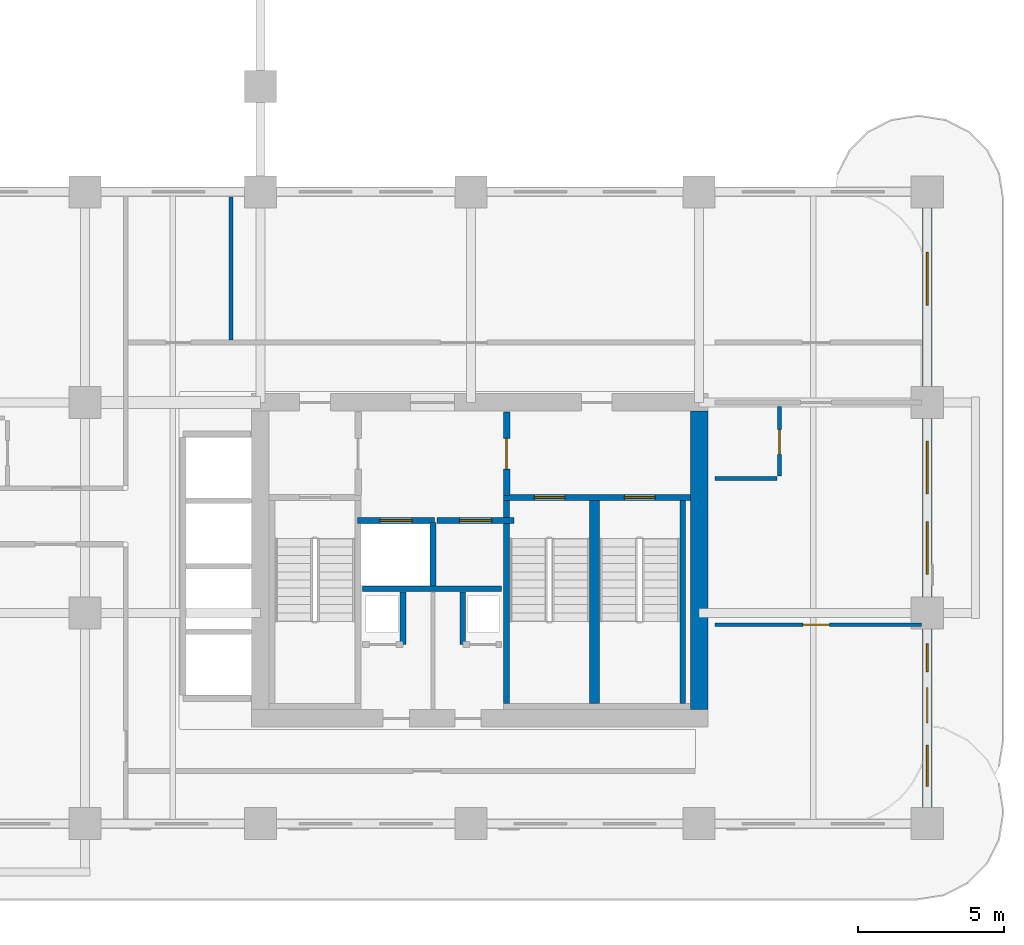
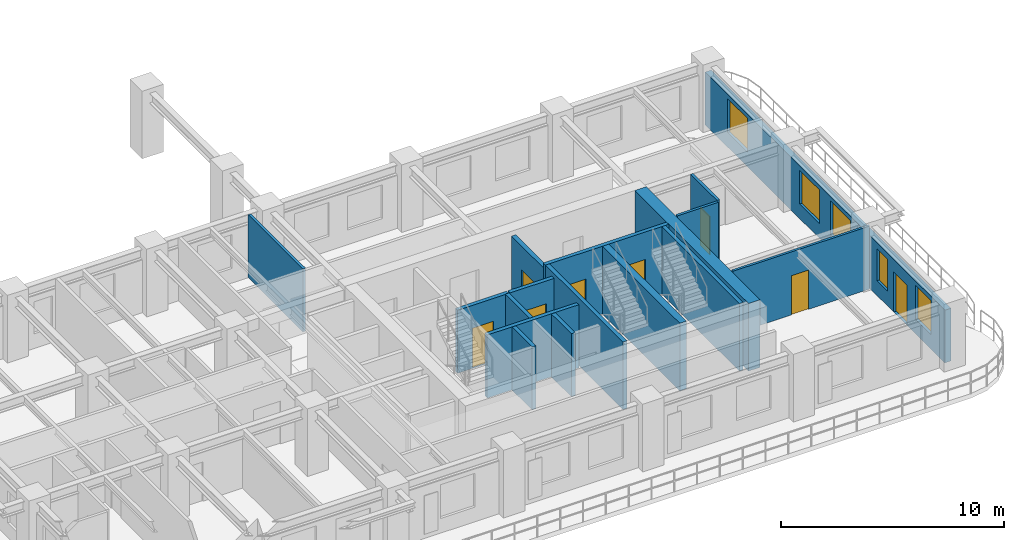
# One storey, part 9 of 19: 17 walls, 8 doors, 5 windows, 13 openings.
"""IFC4 building model written with IfcOpenShell, lengths in metres."""

from ifc_helpers import new_model, si_unit, derived_unit, direction, frame, frame_2d, origin, place, context, subcontext, project, spatial, rectangle, extrude, source, transform, mapped, material, layer, layer_set, type_object, type_shapes, element, fill, save


model = new_model("IFC4")

# Units and contexts
model_context = context("Model", 3, precision=1e-05, world=origin(), true_north=direction((0.0, 1.0)))
body_context = subcontext(model_context, "Body", "Model", "MODEL_VIEW")
ifc_project = project(units=[si_unit("LENGTHUNIT", "METRE"), si_unit("AREAUNIT", "SQUARE_METRE"), si_unit("VOLUMEUNIT", "CUBIC_METRE"), si_unit("PLANEANGLEUNIT", "RADIAN"), si_unit("MASSUNIT", "GRAM", prefix="KILO"), si_unit("THERMODYNAMICTEMPERATUREUNIT", "KELVIN"), si_unit("POWERUNIT", "WATT"), derived_unit("THERMALTRANSMITTANCEUNIT", [(si_unit("POWERUNIT", "WATT"), 1), (si_unit("AREAUNIT", "SQUARE_METRE"), -1), (si_unit("THERMODYNAMICTEMPERATUREUNIT", "KELVIN"), -1)])], contexts=[model_context])

# Site, building, storey
site_placement = place(None, origin())
site = spatial("IfcSite", under=ifc_project, at=site_placement, CompositionType="ELEMENT")
building_placement = place(site_placement, origin())
building = spatial("IfcBuilding", under=site, at=building_placement, Name="Zahravan Archway Hotel and Residences", CompositionType="ELEMENT")
storey_placement = place(building_placement, frame((0.0, 0.0, 62.0)))
storey = spatial("IfcBuildingStorey", under=building, at=storey_placement, Name="L14", CompositionType="ELEMENT", Elevation=62.0)

# Wall
ifc_material_1 = material(Name="Concrete C70/85", Category="concrete")
ifc_layer_1 = layer(ifc_material_1, 0.60009765625, Name="Concrete C70/85", Category="concrete")
ifc_layer_set_1 = layer_set([ifc_layer_1], Name="Concrete C70/85")
wall_type_1 = type_object("IfcWallType", Name="CW-CORE-600", PredefinedType="SHEAR", material=ifc_layer_set_1)
wall_1_placement = place(storey_placement, frame((49.800048828125, 3.89990234375, 0.0), z_axis=(0.0, 0.0, 1.0), x_axis=(0.0, 1.0, 0.0)))
element("IfcWall", 1, at=wall_1_placement, inside=storey, type_object=wall_type_1, Name="L14 Core A Shear E Wall 600 mm", PredefinedType="SHEAR", context=body_context, shape_type="SweptSolid", body=[
    extrude(rectangle(XDim=10.2001953125, YDim=0.60009765625, at=frame_2d((5.10009765625, 0.0))), origin(), (0.0, 0.0, 1.0), 3.699951171875),
])

# Wall, openings, door, windows
ifc_material_2 = material(Name="Agra Buff Sandstone & Insulated Backup", Category="masonry")
ifc_layer_2 = layer(ifc_material_2, 0.320068359375, Name="Agra Buff Sandstone & Insulated Backup", Category="masonry")
ifc_layer_set_2 = layer_set([ifc_layer_2], Name="Agra Buff Sandstone & Insulated Backup")
wall_type_2 = type_object("IfcWallType", Name="EW-SAND-320", PredefinedType="SOLIDWALL", material=ifc_layer_set_2)
wall_2_placement = place(storey_placement, frame((57.60009765625, 0.050048828125, 0.0), z_axis=(0.0, 0.0, 1.0), x_axis=(0.0, 1.0, 0.0)))
wall_2 = element("IfcWall", 2, at=wall_2_placement, inside=storey, type_object=wall_type_2, Name="L14 Exterior Sandstone Wall WA-E", PredefinedType="SOLIDWALL", context=body_context, shape_type="SweptSolid", body=[
    extrude(rectangle(XDim=21.5, YDim=0.320068359375, at=frame_2d((10.75, 0.0))), origin(), (0.0, 0.0, 1.0), 2.885009765625),
])
opening_1_placement = place(wall_2_placement, frame((3.39990234375, 0.0, 0.0)))
opening_1 = element("IfcOpeningElement", 3, at=opening_1_placement, cuts=wall_2, Name="Opening ED-BL1", PredefinedType="OPENING", context=body_context, shape_type="SweptSolid", body=[
    extrude(rectangle(XDim=1.199951171875, YDim=2.199951171875, at=frame_2d((0.60009765625, 1.10009765625))), frame((0.0, 0.169921875, 0.0), z_axis=(0.0, -1.0, 0.0), x_axis=(1.0, 0.0, 0.0)), (0.0, 0.0, 1.0), 0.340087890625),
])
opening_2_placement = place(wall_2_placement, frame((1.22509765625, 0.0, 0.800048828125)))
opening_2 = element("IfcOpeningElement", 4, at=opening_2_placement, cuts=wall_2, Name="Opening W-03", PredefinedType="OPENING", context=body_context, shape_type="SweptSolid", body=[
    extrude(rectangle(XDim=1.39990234375, YDim=1.85009765625, at=frame_2d((0.699951171875, 0.925048828125))), frame((0.0, 0.169921875, 0.0), z_axis=(0.0, -1.0, 0.0), x_axis=(1.0, 0.0, 0.0)), (0.0, 0.0, 1.0), 0.340087890625),
])
opening_3_placement = place(wall_2_placement, frame((5.14990234375, 0.0, 0.800048828125)))
opening_3 = element("IfcOpeningElement", 5, at=opening_3_placement, cuts=wall_2, Name="Opening W-04", PredefinedType="OPENING", context=body_context, shape_type="SweptSolid", body=[
    extrude(rectangle(XDim=0.949951171875, YDim=1.75, at=frame_2d((0.47509765625, 0.875))), frame((0.0, 0.169921875, 0.0), z_axis=(0.0, -1.0, 0.0), x_axis=(1.0, 0.0, 0.0)), (0.0, 0.0, 1.0), 0.340087890625),
])
opening_4_placement = place(wall_2_placement, frame((8.47509765625, 0.0, 0.800048828125)))
opening_4 = element("IfcOpeningElement", 6, at=opening_4_placement, cuts=wall_2, Name="Opening W-02", PredefinedType="OPENING", context=body_context, shape_type="SweptSolid", body=[
    extrude(rectangle(XDim=1.800048828125, YDim=1.85009765625, at=frame_2d((0.89990234375, 0.925048828125))), frame((0.0, 0.169921875, 0.0), z_axis=(0.0, -1.0, 0.0), x_axis=(1.0, 0.0, 0.0)), (0.0, 0.0, 1.0), 0.340087890625),
])
opening_5_placement = place(wall_2_placement, frame((11.22509765625, 0.0, 0.800048828125)))
opening_5 = element("IfcOpeningElement", 7, at=opening_5_placement, cuts=wall_2, Name="Opening W-02", PredefinedType="OPENING", context=body_context, shape_type="SweptSolid", body=[
    extrude(rectangle(XDim=1.800048828125, YDim=1.85009765625, at=frame_2d((0.89990234375, 0.925048828125))), frame((0.0, 0.169921875, 0.0), z_axis=(0.0, -1.0, 0.0), x_axis=(1.0, 0.0, 0.0)), (0.0, 0.0, 1.0), 0.340087890625),
])
opening_6_placement = place(wall_2_placement, frame((17.678955078125, 0.0, 0.800048828125)))
opening_6 = element("IfcOpeningElement", 8, at=opening_6_placement, cuts=wall_2, Name="Opening W-02", PredefinedType="OPENING", context=body_context, shape_type="SweptSolid", body=[
    extrude(rectangle(XDim=1.800048828125, YDim=1.85009765625, at=frame_2d((0.89990234375, 0.925048828125))), frame((0.0, 0.169921875, 0.0), z_axis=(0.0, -1.0, 0.0), x_axis=(1.0, 0.0, 0.0)), (0.0, 0.0, 1.0), 0.340087890625),
])
ifc_material_3 = material(Name="Bronze-Anodized Glazed Aluminium", Category="aluminium")
door_type_1 = type_object("IfcDoorType", Name="ED-BALC-1200", OperationType="SLIDING_TO_LEFT", PredefinedType="DOOR", material=ifc_material_3)
shared_shape_1 = source(origin(), body_context, "Body", "SweptSolid", [
    extrude(rectangle(XDim=1.199951171875, YDim=2.199951171875, at=frame_2d((0.60009765625, 1.10009765625))), frame((0.0, 0.02490234375, 0.0), z_axis=(0.0, -1.0, 0.0), x_axis=(1.0, 0.0, 0.0)), (0.0, 0.0, 1.0), 0.050048828125),
])
type_shapes(door_type_1, [shared_shape_1])
door_1_placement = place(opening_1_placement, origin())
door_1 = element("IfcDoor", 9, at=door_1_placement, inside=storey, type_object=door_type_1, Name="L14 Outdoor Access Sliding Door (SLB-BAL-L14-EA)", OperationType="SLIDING_TO_LEFT", OverallHeight=2.199951171875, OverallWidth=1.199951171875, PredefinedType="DOOR", context=body_context, shape_type="MappedRepresentation", body=[
    mapped(shared_shape_1, transform((0.0, 0.0, 0.0), scale=1.0)),
])
fill(opening_1, door_1)
ifc_material_4 = material(Name="Bronze-Anodized Thermal-Break Aluminium & Low-E Glass", Category="aluminium")
window_type_1 = type_object("IfcWindowType", Name="WIN-TWR-1400", PartitioningType="SINGLE_PANEL", PredefinedType="WINDOW", material=ifc_material_4)
shared_shape_2 = source(origin(), body_context, "Body", "SweptSolid", [
    extrude(rectangle(XDim=1.39990234375, YDim=1.85009765625, at=frame_2d((0.699951171875, 0.925048828125))), frame((0.0, 0.030029296875, 0.0), z_axis=(0.0, -1.0, 0.0), x_axis=(1.0, 0.0, 0.0)), (0.0, 0.0, 1.0), 0.06005859375),
])
type_shapes(window_type_1, [shared_shape_2])
window_1_placement = place(opening_2_placement, origin())
window_1 = element("IfcWindow", 10, at=window_1_placement, inside=storey, type_object=window_type_1, Name="L14 Loggia Window 12", OverallHeight=1.85009765625, OverallWidth=1.39990234375, PartitioningType="SINGLE_PANEL", PredefinedType="WINDOW", context=body_context, shape_type="MappedRepresentation", body=[
    mapped(shared_shape_2, transform((0.0, 0.0, 0.0), scale=1.0)),
])
fill(opening_2, window_1)
window_type_2 = type_object("IfcWindowType", Name="WIN-NAR-950", PartitioningType="SINGLE_PANEL", PredefinedType="WINDOW", material=ifc_material_4)
shared_shape_3 = source(origin(), body_context, "Body", "SweptSolid", [
    extrude(rectangle(XDim=0.949951171875, YDim=1.75, at=frame_2d((0.47509765625, 0.875))), frame((0.0, 0.030029296875, 0.0), z_axis=(0.0, -1.0, 0.0), x_axis=(1.0, 0.0, 0.0)), (0.0, 0.0, 1.0), 0.06005859375),
])
type_shapes(window_type_2, [shared_shape_3])
window_2_placement = place(opening_3_placement, origin())
window_2 = element("IfcWindow", 11, at=window_2_placement, inside=storey, type_object=window_type_2, Name="L14 Loggia Window 13", OverallHeight=1.75, OverallWidth=0.949951171875, PartitioningType="SINGLE_PANEL", PredefinedType="WINDOW", context=body_context, shape_type="MappedRepresentation", body=[
    mapped(shared_shape_3, transform((0.0, 0.0, 0.0), scale=1.0)),
])
fill(opening_3, window_2)
window_type_3 = type_object("IfcWindowType", Name="WIN-TWR-1800", PartitioningType="DOUBLE_PANEL_VERTICAL", PredefinedType="WINDOW", material=ifc_material_4)
shared_shape_4 = source(origin(), body_context, "Body", "SweptSolid", [
    extrude(rectangle(XDim=1.800048828125, YDim=1.85009765625, at=frame_2d((0.89990234375, 0.925048828125))), frame((0.0, 0.030029296875, 0.0), z_axis=(0.0, -1.0, 0.0), x_axis=(1.0, 0.0, 0.0)), (0.0, 0.0, 1.0), 0.06005859375),
])
type_shapes(window_type_3, [shared_shape_4])
window_3_placement = place(opening_4_placement, origin())
window_3 = element("IfcWindow", 12, at=window_3_placement, inside=storey, type_object=window_type_3, Name="L14 Loggia Window 14", OverallHeight=1.85009765625, OverallWidth=1.800048828125, PartitioningType="DOUBLE_PANEL_VERTICAL", PredefinedType="WINDOW", context=body_context, shape_type="MappedRepresentation", body=[
    mapped(shared_shape_4, transform((0.0, 0.0, 0.0), scale=1.0)),
])
fill(opening_4, window_3)
window_4_placement = place(opening_5_placement, origin())
window_4 = element("IfcWindow", 13, at=window_4_placement, inside=storey, type_object=window_type_3, Name="L14 Loggia Window 15", OverallHeight=1.85009765625, OverallWidth=1.800048828125, PartitioningType="DOUBLE_PANEL_VERTICAL", PredefinedType="WINDOW", context=body_context, shape_type="MappedRepresentation", body=[
    mapped(shared_shape_4, transform((0.0, 0.0, 0.0), scale=1.0)),
])
fill(opening_5, window_4)
window_5_placement = place(opening_6_placement, origin())
window_5 = element("IfcWindow", 14, at=window_5_placement, inside=storey, type_object=window_type_3, Name="L14 Loggia Window 16", OverallHeight=1.85009765625, OverallWidth=1.800048828125, PartitioningType="DOUBLE_PANEL_VERTICAL", PredefinedType="WINDOW", context=body_context, shape_type="MappedRepresentation", body=[
    mapped(shared_shape_4, transform((0.0, 0.0, 0.0), scale=1.0)),
])
fill(opening_6, window_5)

# Wall, opening, door
ifc_material_5 = material(Name="Fire-Rated Gypsum & Concrete Block", Category="concrete")
ifc_layer_3 = layer(ifc_material_5, 0.219970703125, Name="Fire-Rated Gypsum & Concrete Block", Category="concrete")
ifc_layer_set_3 = layer_set([ifc_layer_3], Name="Fire-Rated Gypsum & Concrete Block")
wall_type_3 = type_object("IfcWallType", Name="PW-COMP-220", PredefinedType="PARTITIONING", material=ifc_layer_set_3)
wall_3_placement = place(storey_placement, frame((43.219970703125, 11.219970703125, 0.0), z_axis=(0.0, 0.0, 1.0), x_axis=(0.0, 1.0, 0.0)))
wall_3 = element("IfcWall", 15, at=wall_3_placement, inside=storey, type_object=wall_type_3, Name="L14 Partition CA-LOBE", PredefinedType="PARTITIONING", context=body_context, shape_type="SweptSolid", body=[
    extrude(rectangle(XDim=2.860107421875, YDim=0.219970703125, at=frame_2d((1.43017578125, 0.0))), origin(), (0.0, 0.0, 1.0), 3.449951171875),
])
opening_7_placement = place(wall_3_placement, frame((0.905029296875, 0.0, 0.0)))
opening_7 = element("IfcOpeningElement", 16, at=opening_7_placement, cuts=wall_3, Name="Opening FD-L2", PredefinedType="OPENING", context=body_context, shape_type="SweptSolid", body=[
    extrude(rectangle(XDim=1.050048828125, YDim=2.14990234375, at=frame_2d((0.52490234375, 1.074951171875))), frame((0.0, 0.1201171875, 0.0), z_axis=(0.0, -1.0, 0.0), x_axis=(1.0, 0.0, 0.0)), (0.0, 0.0, 1.0), 0.239990234375),
])
ifc_material_6 = material(Name="Fire-Rated Painted Steel", Category="steel")
door_type_2 = type_object("IfcDoorType", Name="FD-LOBBY-1100", OperationType="NOTDEFINED", PredefinedType="DOOR", material=ifc_material_6)
shared_shape_5 = source(origin(), body_context, "Body", "SweptSolid", [
    extrude(rectangle(XDim=1.050048828125, YDim=2.14990234375, at=frame_2d((0.52490234375, 1.074951171875))), frame((0.0, 0.02490234375, 0.0), z_axis=(0.0, -1.0, 0.0), x_axis=(1.0, 0.0, 0.0)), (0.0, 0.0, 1.0), 0.050048828125),
])
type_shapes(door_type_2, [shared_shape_5])
door_2_placement = place(opening_7_placement, origin())
door_2 = element("IfcDoor", 17, at=door_2_placement, inside=storey, type_object=door_type_2, Name="L14 Core A East Stair to FSAE Lobby Door", OperationType="SINGLE_SWING_LEFT", OverallHeight=2.14990234375, OverallWidth=1.050048828125, PredefinedType="DOOR", context=body_context, shape_type="MappedRepresentation", body=[
    mapped(shared_shape_5, transform((0.0, 0.0, 0.0), scale=1.0)),
])
fill(opening_7, door_2)

ifc_material_7 = material(Name="Acoustic Stud Partition")
ifc_layer_4 = layer(ifc_material_7, 0.125, Name="Acoustic Stud Partition")
ifc_layer_set_4 = layer_set([ifc_layer_4], Name="Acoustic Stud Partition")
wall_type_4 = type_object("IfcWallType", Name="PW-INT-125", PredefinedType="PARTITIONING", material=ifc_layer_set_4)
wall_4_placement = place(storey_placement, frame((50.340087890625, 6.800048828125, 0.0), z_axis=(0.0, 0.0, 1.0), x_axis=(1.0, 0.0, 0.0)))
wall_4 = element("IfcWall", 18, at=wall_4_placement, inside=storey, type_object=wall_type_4, Name="L14 Partition EA-PM", PredefinedType="PARTITIONING", context=body_context, shape_type="SweptSolid", body=[
    extrude(rectangle(XDim=7.06982421875, YDim=0.125, at=frame_2d((3.534912109375, 0.0))), origin(), (0.0, 0.0, 1.0), 3.449951171875),
])
opening_8_placement = place(wall_4_placement, frame((3.010009765625, 0.0, 0.0)))
opening_8 = element("IfcOpeningElement", 19, at=opening_8_placement, cuts=wall_4, Name="Opening D-I2", PredefinedType="OPENING", context=body_context, shape_type="SweptSolid", body=[
    extrude(rectangle(XDim=0.89990234375, YDim=2.14990234375, at=frame_2d((0.449951171875, 1.074951171875))), frame((0.0, 0.072509765625, 0.0), z_axis=(0.0, -1.0, 0.0), x_axis=(1.0, 0.0, 0.0)), (0.0, 0.0, 1.0), 0.14501953125),
])
ifc_material_8 = material(Name="Hardwood Veneer Timber", Category="wood")
door_type_3 = type_object("IfcDoorType", Name="ID-INT-900", OperationType="NOTDEFINED", PredefinedType="DOOR", material=ifc_material_8)
shared_shape_6 = source(origin(), body_context, "Body", "SweptSolid", [
    extrude(rectangle(XDim=0.89990234375, YDim=2.14990234375, at=frame_2d((0.449951171875, 1.074951171875))), frame((0.0, 0.02490234375, 0.0), z_axis=(0.0, -1.0, 0.0), x_axis=(1.0, 0.0, 0.0)), (0.0, 0.0, 1.0), 0.050048828125),
])
type_shapes(door_type_3, [shared_shape_6])
door_3_placement = place(opening_8_placement, origin())
door_3 = element("IfcDoor", 20, at=door_3_placement, inside=storey, type_object=door_type_3, Name="L14 East Suite Bedroom Door", OperationType="SINGLE_SWING_RIGHT", OverallHeight=2.14990234375, OverallWidth=0.89990234375, PredefinedType="DOOR", context=body_context, shape_type="MappedRepresentation", body=[
    mapped(shared_shape_6, transform((0.0, 0.0, 0.0), scale=1.0)),
])
fill(opening_8, door_3)

# Walls
ifc_layer_5 = layer(ifc_material_5, 0.199951171875, Name="Fire-Rated Gypsum & Concrete Block", Category="concrete")
ifc_layer_set_5 = layer_set([ifc_layer_5], Name="Fire-Rated Gypsum & Concrete Block")
wall_type_5 = type_object("IfcWallType", Name="PW-SHAFT-200", PredefinedType="PARTITIONING", material=ifc_layer_set_5)
wall_5_placement = place(storey_placement, frame((38.300048828125, 8.030029296875, 0.0), z_axis=(0.0, 0.0, 1.0), x_axis=(1.0, 0.0, 0.0)))
element("IfcWall", 21, at=wall_5_placement, inside=storey, type_object=wall_type_5, Name="L14 Partition CA-FLS", PredefinedType="PARTITIONING", context=body_context, shape_type="SweptSolid", body=[
    extrude(rectangle(XDim=4.739990234375, YDim=0.199951171875, at=frame_2d((2.3701171875, 0.0))), origin(), (0.0, 0.0, 1.0), 3.449951171875),
])
wall_6_placement = place(storey_placement, frame((40.699951171875, 8.1201171875, 0.0), z_axis=(0.0, 0.0, 1.0), x_axis=(0.0, 1.0, 0.0)))
element("IfcWall", 22, at=wall_6_placement, inside=storey, type_object=wall_type_5, Name="L14 Partition CA-FLM", PredefinedType="PARTITIONING", context=body_context, shape_type="SweptSolid", body=[
    extrude(rectangle(XDim=2.179931640625, YDim=0.199951171875, at=frame_2d((1.08984375, 0.0))), origin(), (0.0, 0.0, 1.0), 3.449951171875),
])
for number, where, z_axis, x_axis, name in (
    (23, (39.679931640625, 6.1298828125, 0.0), (0.0, 0.0, 1.0), (0.0, 1.0, 0.0), "L14 Partition CA-SMKE"),
    (24, (41.719970703125, 6.1298828125, 0.0), (0.0, 0.0, 1.0), (0.0, 1.0, 0.0), "L14 Partition CA-MEPW"),
):
    element("IfcWall", number, at=place(storey_placement, frame(where, z_axis=z_axis, x_axis=x_axis)), inside=storey, type_object=wall_type_5, Name=name, PredefinedType="PARTITIONING", context=body_context, shape_type="SweptSolid", body=[
        extrude(rectangle(XDim=1.7900390625, YDim=0.199951171875, at=frame_2d((0.89501953125, 0.0))), origin(), (0.0, 0.0, 1.0), 3.449951171875),
    ])

# Wall, opening, door
wall_7_placement = place(storey_placement, frame((38.1201171875, 10.3701171875, 0.0), z_axis=(0.0, 0.0, 1.0), x_axis=(1.0, 0.0, 0.0)))
wall_7 = element("IfcWall", 25, at=wall_7_placement, inside=storey, type_object=wall_type_5, Name="L14 Lift FL-1 Front Wall", PredefinedType="PARTITIONING", context=body_context, shape_type="SweptSolid", body=[
    extrude(rectangle(XDim=2.639892578125, YDim=0.199951171875, at=frame_2d((1.31982421875, 0.0))), origin(), (0.0, 0.0, 1.0), 3.449951171875),
])
opening_9_placement = place(wall_7_placement, frame((0.77001953125, 0.0, 0.0)))
opening_9 = element("IfcOpeningElement", 26, at=opening_9_placement, cuts=wall_7, Name="Opening LD", PredefinedType="OPENING", context=body_context, shape_type="SweptSolid", body=[
    extrude(rectangle(XDim=1.10009765625, YDim=2.199951171875, at=frame_2d((0.550048828125, 1.10009765625))), frame((0.0, 0.10986328125, 0.0), z_axis=(0.0, -1.0, 0.0), x_axis=(1.0, 0.0, 0.0)), (0.0, 0.0, 1.0), 0.219970703125),
])
ifc_material_9 = material(Name="Brushed Stainless Steel", Category="steel")
door_type_4 = type_object("IfcDoorType", Name="DR-LIFT-LD", OperationType="SLIDING_TO_LEFT", PredefinedType="DOOR", material=ifc_material_9)
shared_shape_7 = source(origin(), body_context, "Body", "SweptSolid", [
    extrude(rectangle(XDim=1.10009765625, YDim=2.199951171875, at=frame_2d((0.550048828125, 1.10009765625))), frame((0.0, 0.02490234375, 0.0), z_axis=(0.0, -1.0, 0.0), x_axis=(1.0, 0.0, 0.0)), (0.0, 0.0, 1.0), 0.050048828125),
])
type_shapes(door_type_4, [shared_shape_7])
door_4_placement = place(opening_9_placement, origin())
door_4 = element("IfcDoor", 27, at=door_4_placement, inside=storey, type_object=door_type_4, Name="L14 Lift FL-1 Sliding Landing Door", OperationType="SLIDING_TO_LEFT", OverallHeight=2.199951171875, OverallWidth=1.10009765625, PredefinedType="DOOR", context=body_context, shape_type="MappedRepresentation", body=[
    mapped(shared_shape_7, transform((0.0, 0.0, 0.0), scale=1.0)),
])
fill(opening_9, door_4)

wall_8_placement = place(storey_placement, frame((40.840087890625, 10.3701171875, 0.0), z_axis=(0.0, 0.0, 1.0), x_axis=(1.0, 0.0, 0.0)))
wall_8 = element("IfcWall", 28, at=wall_8_placement, inside=storey, type_object=wall_type_5, Name="L14 Lift FL-2 Front Wall", PredefinedType="PARTITIONING", context=body_context, shape_type="SweptSolid", body=[
    extrude(rectangle(XDim=2.639892578125, YDim=0.199951171875, at=frame_2d((1.31982421875, 0.0))), origin(), (0.0, 0.0, 1.0), 3.449951171875),
])
opening_10_placement = place(wall_8_placement, frame((0.77001953125, 0.0, 0.0)))
opening_10 = element("IfcOpeningElement", 29, at=opening_10_placement, cuts=wall_8, Name="Opening LD", PredefinedType="OPENING", context=body_context, shape_type="SweptSolid", body=[
    extrude(rectangle(XDim=1.10009765625, YDim=2.199951171875, at=frame_2d((0.550048828125, 1.10009765625))), frame((0.0, 0.10986328125, 0.0), z_axis=(0.0, -1.0, 0.0), x_axis=(1.0, 0.0, 0.0)), (0.0, 0.0, 1.0), 0.219970703125),
])
door_5_placement = place(opening_10_placement, origin())
door_5 = element("IfcDoor", 30, at=door_5_placement, inside=storey, type_object=door_type_4, Name="L14 Lift FL-2 Sliding Landing Door", OperationType="SLIDING_TO_LEFT", OverallHeight=2.199951171875, OverallWidth=1.10009765625, PredefinedType="DOOR", context=body_context, shape_type="MappedRepresentation", body=[
    mapped(shared_shape_7, transform((0.0, 0.0, 0.0), scale=1.0)),
])
fill(opening_10, door_5)

ifc_material_10 = material(Name="Moisture-Resistant Blockwork", Category="masonry")
ifc_layer_6 = layer(ifc_material_10, 0.139892578125, Name="Moisture-Resistant Blockwork", Category="masonry")
ifc_layer_set_6 = layer_set([ifc_layer_6], Name="Moisture-Resistant Blockwork")
wall_type_6 = type_object("IfcWallType", Name="PW-WET-140", PredefinedType="PARTITIONING", material=ifc_layer_set_6)
wall_9_placement = place(storey_placement, frame((52.550048828125, 11.889892578125, 0.0), z_axis=(0.0, 0.0, 1.0), x_axis=(0.0, 1.0, 0.0)))
wall_9 = element("IfcWall", 31, at=wall_9_placement, inside=storey, type_object=wall_type_6, Name="L14 Partition EA-PBV", PredefinedType="PARTITIONING", context=body_context, shape_type="SweptSolid", body=[
    extrude(rectangle(XDim=2.3701171875, YDim=0.139892578125, at=frame_2d((1.18505859375, 0.0))), origin(), (0.0, 0.0, 1.0), 3.449951171875),
])
opening_11_placement = place(wall_9_placement, frame((0.735107421875, 0.0, 0.0)))
opening_11 = element("IfcOpeningElement", 32, at=opening_11_placement, cuts=wall_9, Name="Opening D-B1", PredefinedType="OPENING", context=body_context, shape_type="SweptSolid", body=[
    extrude(rectangle(XDim=0.85009765625, YDim=2.10009765625, at=frame_2d((0.425048828125, 1.050048828125))), frame((0.0, 0.080078125, 0.0), z_axis=(0.0, -1.0, 0.0), x_axis=(1.0, 0.0, 0.0)), (0.0, 0.0, 1.0), 0.159912109375),
])
door_type_5 = type_object("IfcDoorType", Name="ID-BATH-850", OperationType="NOTDEFINED", PredefinedType="DOOR", material=ifc_material_8)
shared_shape_8 = source(origin(), body_context, "Body", "SweptSolid", [
    extrude(rectangle(XDim=0.85009765625, YDim=2.10009765625, at=frame_2d((0.425048828125, 1.050048828125))), frame((0.0, 0.02490234375, 0.0), z_axis=(0.0, -1.0, 0.0), x_axis=(1.0, 0.0, 0.0)), (0.0, 0.0, 1.0), 0.050048828125),
])
type_shapes(door_type_5, [shared_shape_8])
door_6_placement = place(opening_11_placement, origin())
door_6 = element("IfcDoor", 33, at=door_6_placement, inside=storey, type_object=door_type_5, Name="L14 East Suite En-Suite Door", OperationType="SINGLE_SWING_LEFT", OverallHeight=2.10009765625, OverallWidth=0.85009765625, PredefinedType="DOOR", context=body_context, shape_type="MappedRepresentation", body=[
    mapped(shared_shape_8, transform((0.0, 0.0, 0.0), scale=1.0)),
])
fill(opening_11, door_6)

# Walls
wall_10_placement = place(storey_placement, frame((50.340087890625, 11.800048828125, 0.0), z_axis=(0.0, 0.0, 1.0), x_axis=(1.0, 0.0, 0.0)))
element("IfcWall", 34, at=wall_10_placement, inside=storey, type_object=wall_type_6, Name="L14 Partition EA-PBH", PredefinedType="PARTITIONING", context=body_context, shape_type="SweptSolid", body=[
    extrude(rectangle(XDim=2.119873046875, YDim=0.139892578125, at=frame_2d((1.06005859375, 0.0))), origin(), (0.0, 0.0, 1.0), 3.449951171875),
])
wall_11_placement = place(storey_placement, frame((33.800048828125, 16.5400390625, 0.0), z_axis=(0.0, 0.0, 1.0), x_axis=(0.0, 1.0, 0.0)))
element("IfcWall", 35, at=wall_11_placement, inside=storey, type_object=wall_type_6, Name="L14 Partition NE1-1", PredefinedType="PARTITIONING", context=body_context, shape_type="SweptSolid", body=[
    extrude(rectangle(XDim=4.891845703125, YDim=0.139892578125, at=frame_2d((2.44580078125, 0.0))), origin(), (0.0, 0.0, 1.0), 3.449951171875),
])
ifc_material_11 = material(Name="Concrete C50/60", Category="concrete")
ifc_layer_7 = layer(ifc_material_11, 0.199951171875, Name="Concrete C50/60", Category="concrete")
ifc_layer_set_7 = layer_set([ifc_layer_7], Name="Concrete C50/60")
wall_type_7 = type_object("IfcWallType", Name="SW-STAIR-200", PredefinedType="SHEAR", material=ifc_layer_set_7)
for number, where, z_axis, x_axis, name in (
    (36, (43.219970703125, 4.10009765625, 0.0), (0.0, 0.0, 1.0), (0.0, 1.0, 0.0), "L14 Stairwell RC Wall CA-SA2W"),
    (37, (49.239990234375, 4.10009765625, 0.0), (0.0, 0.0, 1.0), (0.0, 1.0, 0.0), "L14 Stairwell RC Wall CA-SA3E"),
):
    element("IfcWall", number, at=place(storey_placement, frame(where, z_axis=z_axis, x_axis=x_axis)), inside=storey, type_object=wall_type_7, Name=name, PredefinedType="SHEAR", context=body_context, shape_type="SweptSolid", body=[
        extrude(rectangle(XDim=6.949951171875, YDim=0.199951171875, at=frame_2d((3.47509765625, 0.0))), origin(), (0.0, 0.0, 1.0), 3.699951171875),
    ])

# Wall, openings, doors
wall_12_placement = place(storey_placement, frame((43.1201171875, 11.14990234375, 0.0), z_axis=(0.0, 0.0, 1.0), x_axis=(1.0, 0.0, 0.0)))
wall_12 = element("IfcWall", 38, at=wall_12_placement, inside=storey, type_object=wall_type_7, Name="L14 Stairwell RC Wall CA-SA23N", PredefinedType="SHEAR", context=body_context, shape_type="SweptSolid", body=[
    extrude(rectangle(XDim=6.3798828125, YDim=0.199951171875, at=frame_2d((3.18994140625, 0.0))), origin(), (0.0, 0.0, 1.0), 3.699951171875),
])
opening_12_placement = place(wall_12_placement, frame((1.044921875, 0.0, 0.0)))
opening_12 = element("IfcOpeningElement", 39, at=opening_12_placement, cuts=wall_12, Name="Opening FD-S1", PredefinedType="OPENING", context=body_context, shape_type="SweptSolid", body=[
    extrude(rectangle(XDim=1.050048828125, YDim=2.199951171875, at=frame_2d((0.52490234375, 1.10009765625))), frame((0.0, 0.10986328125, 0.0), z_axis=(0.0, -1.0, 0.0), x_axis=(1.0, 0.0, 0.0)), (0.0, 0.0, 1.0), 0.219970703125),
])
opening_13_placement = place(wall_12_placement, frame((4.125, 0.0, 0.0)))
opening_13 = element("IfcOpeningElement", 40, at=opening_13_placement, cuts=wall_12, Name="Opening FD-S1", PredefinedType="OPENING", context=body_context, shape_type="SweptSolid", body=[
    extrude(rectangle(XDim=1.050048828125, YDim=2.199951171875, at=frame_2d((0.52490234375, 1.10009765625))), frame((0.0, 0.10986328125, 0.0), z_axis=(0.0, -1.0, 0.0), x_axis=(1.0, 0.0, 0.0)), (0.0, 0.0, 1.0), 0.219970703125),
])
door_type_6 = type_object("IfcDoorType", Name="FD-STAIR-1100", OperationType="NOTDEFINED", PredefinedType="DOOR", material=ifc_material_6)
shared_shape_9 = source(origin(), body_context, "Body", "SweptSolid", [
    extrude(rectangle(XDim=1.050048828125, YDim=2.199951171875, at=frame_2d((0.52490234375, 1.10009765625))), frame((0.0, 0.02490234375, 0.0), z_axis=(0.0, -1.0, 0.0), x_axis=(1.0, 0.0, 0.0)), (0.0, 0.0, 1.0), 0.050048828125),
])
type_shapes(door_type_6, [shared_shape_9])
door_7_placement = place(opening_12_placement, origin())
door_7 = element("IfcDoor", 41, at=door_7_placement, inside=storey, type_object=door_type_6, Name="L14 Stair ST-A2 Door", OperationType="SINGLE_SWING_RIGHT", OverallHeight=2.199951171875, OverallWidth=1.050048828125, PredefinedType="DOOR", context=body_context, shape_type="MappedRepresentation", body=[
    mapped(shared_shape_9, transform((0.0, 0.0, 0.0), scale=1.0)),
])
fill(opening_12, door_7)
door_8_placement = place(opening_13_placement, origin())
door_8 = element("IfcDoor", 42, at=door_8_placement, inside=storey, type_object=door_type_6, Name="L14 Stair ST-A3 Door", OperationType="SINGLE_SWING_LEFT", OverallHeight=2.199951171875, OverallWidth=1.050048828125, PredefinedType="DOOR", context=body_context, shape_type="MappedRepresentation", body=[
    mapped(shared_shape_9, transform((0.0, 0.0, 0.0), scale=1.0)),
])
fill(opening_13, door_8)

# Wall
ifc_layer_8 = layer(ifc_material_11, 0.340087890625, Name="Concrete C50/60", Category="concrete")
ifc_layer_set_8 = layer_set([ifc_layer_8], Name="Concrete C50/60")
wall_type_8 = type_object("IfcWallType", Name="SW-STAIR-340", PredefinedType="SHEAR", material=ifc_layer_set_8)
wall_13_placement = place(storey_placement, frame((46.22998046875, 4.10009765625, 0.0), z_axis=(0.0, 0.0, 1.0), x_axis=(0.0, 1.0, 0.0)))
element("IfcWall", 43, at=wall_13_placement, inside=storey, type_object=wall_type_8, Name="L14 Stairwell RC Wall CA-SA23M", PredefinedType="SHEAR", context=body_context, shape_type="SweptSolid", body=[
    extrude(rectangle(XDim=6.949951171875, YDim=0.340087890625, at=frame_2d((3.47509765625, 0.0))), origin(), (0.0, 0.0, 1.0), 3.699951171875),
])

save(model, "model.ifc")
